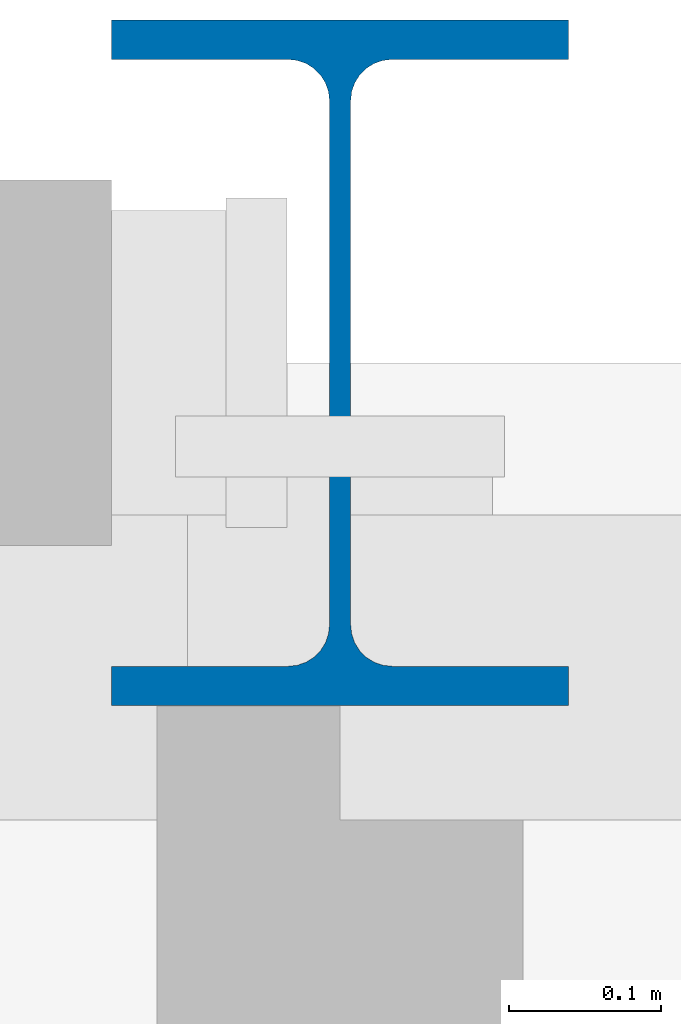
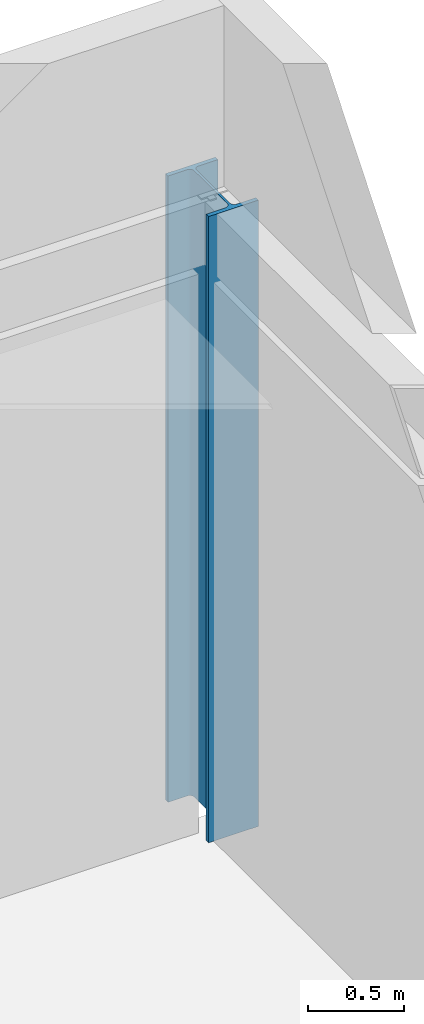
# One storey, part 4 of 14: 1 column.
"""IFC4 building model written with IfcOpenShell, lengths in metres."""

import ifcopenshell
import ifcopenshell.guid

model = None  # the IFC model being written
_history = None  # IfcOwnerHistory: only IFC2X3 demands one
_inside = {}  # id of a spatial element -> (the spatial element, [elements in it])
_under = {}  # id of a project, library or spatial element -> (it, [spatial elements below it])
_declared = {}  # id of a project -> (the project, [libraries it declares])
_typed = {}  # id of a type object -> (the type object, [elements of that type])
_made_of = {}  # id of a material, layer set ... -> (it, [elements and type objects made of it])


def new_model(schema):
    """Start an empty IFC model of exactly this schema.

    Asked for "IFC4X3", IfcOpenShell would pick the latest addendum, in which some entities
    have other attributes; the version numbers below select the first issue.
    IFC2X3 requires an IfcOwnerHistory on every rooted entity: one is made here for all.
    """
    global model, _history
    if schema == "IFC4X3":
        model = ifcopenshell.file(schema_version=(4, 3, 0, 0))
    else:
        model = ifcopenshell.file(schema=schema)
    _inside.clear()
    _under.clear()
    _declared.clear()
    _typed.clear()
    _made_of.clear()
    _history = None
    if model.schema == "IFC2X3":
        org = make("IfcOrganization", Name="unknown")
        user = make(
            "IfcPersonAndOrganization",
            ThePerson=make("IfcPerson", FamilyName="unknown"),
            TheOrganization=org,
        )
        app = make(
            "IfcApplication",
            ApplicationDeveloper=org,
            Version="unknown",
            ApplicationFullName="unknown",
            ApplicationIdentifier="unknown",
        )
        _history = make(
            "IfcOwnerHistory",
            OwningUser=user,
            OwningApplication=app,
            ChangeAction="ADDED",
            CreationDate=0,
        )
    return model


def make(cls, **values):
    """One entity of the class cls with the attributes given. An attribute that is None is left unset."""
    return model.create_entity(
        cls, **{name: value for name, value in values.items() if value is not None}
    )


def rooted(cls, **values):
    """An entity with a GlobalId (a new one), such as an element, a storey or a relation."""
    return make(cls, GlobalId=ifcopenshell.guid.new(), OwnerHistory=_history, **values)


def si_unit(unit_type, name, prefix=None):
    """IfcSIUnit, for example si_unit("LENGTHUNIT", "METRE", prefix="MILLI")."""
    return make("IfcSIUnit", UnitType=unit_type, Prefix=prefix, Name=name)


def assignment(units):
    """IfcUnitAssignment: the units of a project."""
    return None if units is None else make("IfcUnitAssignment", Units=units)


def point(xyz):
    """IfcCartesianPoint."""
    return None if xyz is None else make("IfcCartesianPoint", Coordinates=xyz)


def direction(xyz):
    """IfcDirection."""
    return None if xyz is None else make("IfcDirection", DirectionRatios=xyz)


def frame(location, z_axis=None, x_axis=None):
    """IfcAxis2Placement3D, a coordinate frame: its origin and axes. An axis left out is left unset."""
    return make(
        "IfcAxis2Placement3D",
        Location=point(location),
        Axis=direction(z_axis),
        RefDirection=direction(x_axis),
    )


def frame_2d(location, x_axis=None):
    """IfcAxis2Placement2D, a coordinate frame in the plane: its origin and x axis."""
    return make(
        "IfcAxis2Placement2D", Location=point(location), RefDirection=direction(x_axis)
    )


def origin():
    """The frame at (0, 0, 0) with its axes left unset."""
    return frame((0.0, 0.0, 0.0))


def origin_2d():
    """The frame at (0, 0) in the plane with its x axis left unset."""
    return frame_2d((0.0, 0.0))


def place(relative_to, where):
    """IfcLocalPlacement: puts the frame where relative to a parent placement (None: the world)."""
    return make(
        "IfcLocalPlacement", PlacementRelTo=relative_to, RelativePlacement=where
    )


def context(
    kind, dimensions, precision=None, world=None, true_north=None, identifier=None
):
    """IfcGeometricRepresentationContext, for example the 3D "Model" context."""
    return make(
        "IfcGeometricRepresentationContext",
        ContextIdentifier=identifier,
        ContextType=kind,
        CoordinateSpaceDimension=dimensions,
        Precision=precision,
        WorldCoordinateSystem=world,
        TrueNorth=true_north,
    )


def subcontext(parent, identifier, kind, view, scale=None):
    """IfcGeometricRepresentationSubContext, for example "Body" below "Model"."""
    return make(
        "IfcGeometricRepresentationSubContext",
        ContextIdentifier=identifier,
        ContextType=kind,
        ParentContext=parent,
        TargetScale=scale,
        TargetView=view,
    )


def project(units=None, contexts=None):
    """IfcProject with its units and contexts."""
    return rooted(
        "IfcProject",
        Name="project",
        RepresentationContexts=contexts,
        UnitsInContext=assignment(units),
    )


def spatial(cls, under=None, at=None, **own):
    """A site, building, storey or space (cls), placed at a placement, below another one or the project."""
    s = rooted(cls, ObjectPlacement=at, **own)
    if under is not None:
        _under.setdefault(under.id(), (under, []))[1].append(s)
    return s


def profile(cls, at=None, kind="AREA", **sizes):
    """A parametric profile (cls). Its sizes go by their IFC names, for example OverallWidth=200.0."""
    return make(cls, ProfileType=kind, Position=at, **sizes)


def i_section(**sizes):
    """IfcIShapeProfileDef."""
    return profile("IfcIShapeProfileDef", **sizes)


def extrude(swept, where, along, depth):
    """IfcExtrudedAreaSolid: the profile swept, set in the frame where, extruded along a direction by depth."""
    return make(
        "IfcExtrudedAreaSolid",
        SweptArea=swept,
        Position=where,
        ExtrudedDirection=direction(along),
        Depth=depth,
    )


def shape(context_of_items, identifier, shape_type, items):
    """IfcShapeRepresentation: the items that make up one representation, for example the "Body"."""
    return make(
        "IfcShapeRepresentation",
        ContextOfItems=context_of_items,
        RepresentationIdentifier=identifier,
        RepresentationType=shape_type,
        Items=items,
    )


def material(Name=None, Category=None):
    """IfcMaterial."""
    return make("IfcMaterial", Name=Name, Category=Category)


def material_profile(
    of_material, cross_section, Name=None, Category=None, Priority=None
):
    """IfcMaterialProfile: a cross section and its material."""
    return make(
        "IfcMaterialProfile",
        Name=Name,
        Material=of_material,
        Profile=cross_section,
        Priority=Priority,
        Category=Category,
    )


def profile_set(profiles, Name=None, composite=None):
    """IfcMaterialProfileSet."""
    return make(
        "IfcMaterialProfileSet",
        Name=Name,
        MaterialProfiles=profiles,
        CompositeProfile=composite,
    )


def made_of(thing, what):
    """Note that an element or type object is made of a material, layer set ...; save() writes the relation."""
    if what is not None:
        _made_of.setdefault(what.id(), (what, []))[1].append(thing)
    return thing


def type_object(cls, material=None, **own):
    """A type object (cls), such as IfcWallType, which elements share."""
    return made_of(rooted(cls, **own), material)


def element(
    cls,
    number,
    at=None,
    inside=None,
    cuts=None,
    type_object=None,
    material=None,
    context=None,
    identifier="Body",
    shape_type=None,
    held_by="IfcProductDefinitionShape",
    body=None,
    shapes=None,
    **own,
):
    """One element of the class cls, such as IfcWall. Its Tag is "e" and its number.

    at: its placement. inside: the storey or other place that contains it. cuts: it is an
    opening in that element (IfcRelVoidsElement). A single representation is given by context,
    identifier, shape_type and body (its items); several are given by shapes. held_by: the class
    of the entity that holds the representations. save() writes the other relations.
    """
    e = rooted(cls, Tag="e%d" % number, ObjectPlacement=at, **own)
    if body is not None:
        shapes = [shape(context, identifier, shape_type, body)]
    if shapes is not None:
        e.Representation = make(held_by, Representations=shapes)
    if inside is not None:
        _inside.setdefault(inside.id(), (inside, []))[1].append(e)
    if cuts is not None:
        rooted(
            "IfcRelVoidsElement", RelatingBuildingElement=cuts, RelatedOpeningElement=e
        )
    if type_object is not None:
        _typed.setdefault(type_object.id(), (type_object, []))[1].append(e)
    return made_of(e, material)


def aggregate(whole, parts):
    """IfcRelAggregates: a whole, such as a stair, and the parts it consists of."""
    return rooted("IfcRelAggregates", RelatingObject=whole, RelatedObjects=parts)


def save(model, path):
    """Write the relations noted so far, then the file.

    IfcRelAggregates (storeys below a building ...), IfcRelContainedInSpatialStructure (elements
    in a storey), IfcRelDefinesByType, IfcRelAssociatesMaterial and IfcRelDeclares: one each for
    every whole, place, type object, material and project.
    """
    for whole, parts in _under.values():
        aggregate(whole, parts)
    for where, things in _inside.values():
        rooted(
            "IfcRelContainedInSpatialStructure",
            RelatedElements=things,
            RelatingStructure=where,
        )
    for kind, things in _typed.values():
        rooted("IfcRelDefinesByType", RelatedObjects=things, RelatingType=kind)
    for what, things in _made_of.values():
        rooted("IfcRelAssociatesMaterial", RelatedObjects=things, RelatingMaterial=what)
    for by, libraries in _declared.values():
        rooted("IfcRelDeclares", RelatingContext=by, RelatedDefinitions=libraries)
    model.write(path)


model = new_model("IFC4")

# Units and contexts
model_context = context("Model", 3, precision=1e-05, world=origin(), true_north=direction((0.0, 1.0)))
body_context = subcontext(model_context, "Body", "Model", "MODEL_VIEW")
ifc_project = project(units=[si_unit("LENGTHUNIT", "METRE"), si_unit("AREAUNIT", "SQUARE_METRE"), si_unit("VOLUMEUNIT", "CUBIC_METRE"), si_unit("PLANEANGLEUNIT", "RADIAN"), si_unit("MASSUNIT", "GRAM", prefix="KILO")], contexts=[model_context])

# Site, building, storey
site_placement = place(None, origin())
site = spatial("IfcSite", under=ifc_project, at=site_placement, CompositionType="ELEMENT")
building_placement = place(site_placement, origin())
building = spatial("IfcBuilding", under=site, at=building_placement, Name="Marlcrest Central Station", CompositionType="ELEMENT")
storey_placement = place(building_placement, frame((0.0, 0.0, 24.0)))
storey = spatial("IfcBuildingStorey", under=building, at=storey_placement, Name="L05", CompositionType="ELEMENT", Elevation=24.0)

# Column
ifc_material = material(Name="Steel S355", Category="steel")
ifc_material_profile = material_profile(ifc_material, i_section(OverallWidth=0.300048828125, OverallDepth=0.449951171875, WebThickness=0.013916015625, FlangeThickness=0.02587890625, FilletRadius=0.027099609375, at=origin_2d()), Name="HEB 450")
ifc_profile_set = profile_set([ifc_material_profile], Name="Steel S355")
column_type = type_object("IfcColumnType", Name="SC-02", PredefinedType="COLUMN", material=ifc_profile_set)
column_placement = place(storey_placement, frame((54.0, 132.0, 0.0), z_axis=(0.0, 0.0, 1.0), x_axis=(1.0, 0.0, 0.0)))
element("IfcColumn", 1, at=column_placement, inside=storey, type_object=column_type, Name="col-SC-02-L05-0252", PredefinedType="COLUMN", context=body_context, shape_type="SweptSolid", body=[
    extrude(i_section(OverallWidth=0.300048828125, OverallDepth=0.449951171875, WebThickness=0.013916015625, FlangeThickness=0.02587890625, FilletRadius=0.027099609375, at=origin_2d()), origin(), (0.0, 0.0, 1.0), 3.97998046875),
])

save(model, "model.ifc")
